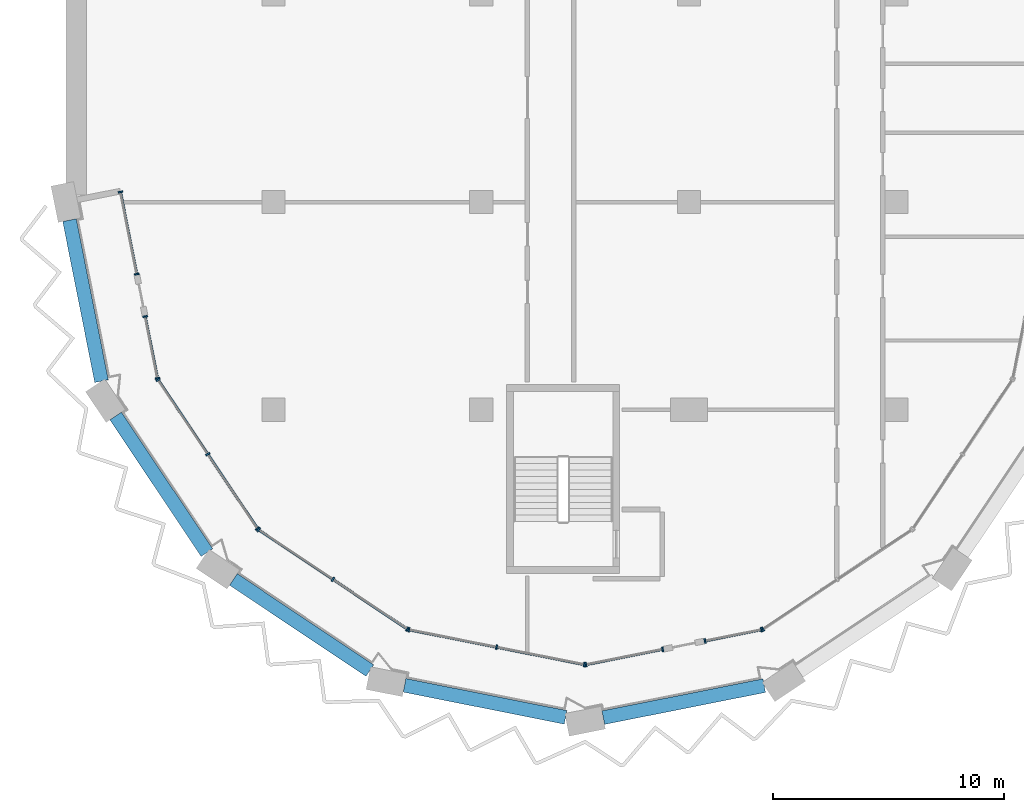
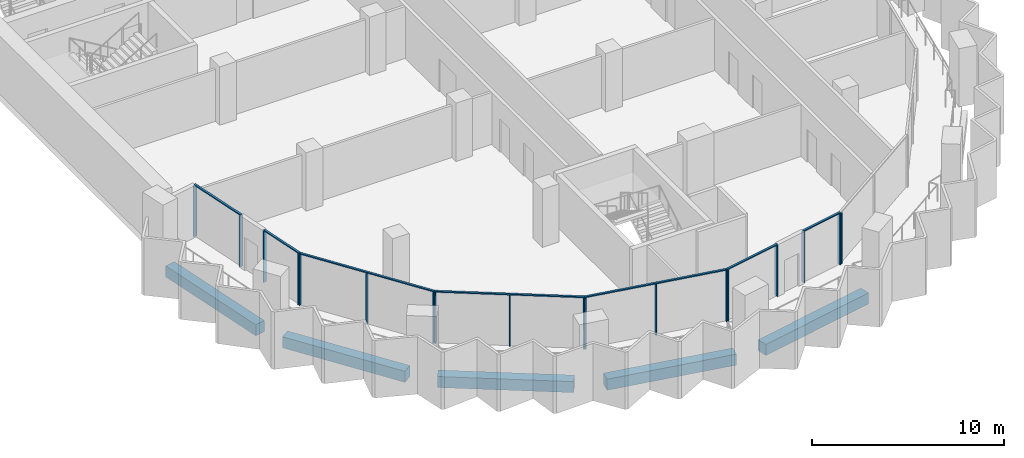
# One storey, part 2 of 16: 25 members, 5 beams, 8 elements without a shape of their own.
"""IFC4 building model written with IfcOpenShell, lengths in metres."""

import ifcopenshell
import ifcopenshell.guid

model = None  # the IFC model being written
_history = None  # IfcOwnerHistory: only IFC2X3 demands one
_inside = {}  # id of a spatial element -> (the spatial element, [elements in it])
_under = {}  # id of a project, library or spatial element -> (it, [spatial elements below it])
_declared = {}  # id of a project -> (the project, [libraries it declares])
_typed = {}  # id of a type object -> (the type object, [elements of that type])
_made_of = {}  # id of a material, layer set ... -> (it, [elements and type objects made of it])


def new_model(schema):
    """Start an empty IFC model of exactly this schema.

    Asked for "IFC4X3", IfcOpenShell would pick the latest addendum, in which some entities
    have other attributes; the version numbers below select the first issue.
    IFC2X3 requires an IfcOwnerHistory on every rooted entity: one is made here for all.
    """
    global model, _history
    if schema == "IFC4X3":
        model = ifcopenshell.file(schema_version=(4, 3, 0, 0))
    else:
        model = ifcopenshell.file(schema=schema)
    _inside.clear()
    _under.clear()
    _declared.clear()
    _typed.clear()
    _made_of.clear()
    _history = None
    if model.schema == "IFC2X3":
        org = make("IfcOrganization", Name="unknown")
        user = make(
            "IfcPersonAndOrganization",
            ThePerson=make("IfcPerson", FamilyName="unknown"),
            TheOrganization=org,
        )
        app = make(
            "IfcApplication",
            ApplicationDeveloper=org,
            Version="unknown",
            ApplicationFullName="unknown",
            ApplicationIdentifier="unknown",
        )
        _history = make(
            "IfcOwnerHistory",
            OwningUser=user,
            OwningApplication=app,
            ChangeAction="ADDED",
            CreationDate=0,
        )
    return model


def make(cls, **values):
    """One entity of the class cls with the attributes given. An attribute that is None is left unset."""
    return model.create_entity(
        cls, **{name: value for name, value in values.items() if value is not None}
    )


def rooted(cls, **values):
    """An entity with a GlobalId (a new one), such as an element, a storey or a relation."""
    return make(cls, GlobalId=ifcopenshell.guid.new(), OwnerHistory=_history, **values)


def si_unit(unit_type, name, prefix=None):
    """IfcSIUnit, for example si_unit("LENGTHUNIT", "METRE", prefix="MILLI")."""
    return make("IfcSIUnit", UnitType=unit_type, Prefix=prefix, Name=name)


def assignment(units):
    """IfcUnitAssignment: the units of a project."""
    return None if units is None else make("IfcUnitAssignment", Units=units)


def point(xyz):
    """IfcCartesianPoint."""
    return None if xyz is None else make("IfcCartesianPoint", Coordinates=xyz)


def direction(xyz):
    """IfcDirection."""
    return None if xyz is None else make("IfcDirection", DirectionRatios=xyz)


def frame(location, z_axis=None, x_axis=None):
    """IfcAxis2Placement3D, a coordinate frame: its origin and axes. An axis left out is left unset."""
    return make(
        "IfcAxis2Placement3D",
        Location=point(location),
        Axis=direction(z_axis),
        RefDirection=direction(x_axis),
    )


def frame_2d(location, x_axis=None):
    """IfcAxis2Placement2D, a coordinate frame in the plane: its origin and x axis."""
    return make(
        "IfcAxis2Placement2D", Location=point(location), RefDirection=direction(x_axis)
    )


def origin():
    """The frame at (0, 0, 0) with its axes left unset."""
    return frame((0.0, 0.0, 0.0))


def origin_2d():
    """The frame at (0, 0) in the plane with its x axis left unset."""
    return frame_2d((0.0, 0.0))


def place(relative_to, where):
    """IfcLocalPlacement: puts the frame where relative to a parent placement (None: the world)."""
    return make(
        "IfcLocalPlacement", PlacementRelTo=relative_to, RelativePlacement=where
    )


def context(
    kind, dimensions, precision=None, world=None, true_north=None, identifier=None
):
    """IfcGeometricRepresentationContext, for example the 3D "Model" context."""
    return make(
        "IfcGeometricRepresentationContext",
        ContextIdentifier=identifier,
        ContextType=kind,
        CoordinateSpaceDimension=dimensions,
        Precision=precision,
        WorldCoordinateSystem=world,
        TrueNorth=true_north,
    )


def subcontext(parent, identifier, kind, view, scale=None):
    """IfcGeometricRepresentationSubContext, for example "Body" below "Model"."""
    return make(
        "IfcGeometricRepresentationSubContext",
        ContextIdentifier=identifier,
        ContextType=kind,
        ParentContext=parent,
        TargetScale=scale,
        TargetView=view,
    )


def project(units=None, contexts=None):
    """IfcProject with its units and contexts."""
    return rooted(
        "IfcProject",
        Name="project",
        RepresentationContexts=contexts,
        UnitsInContext=assignment(units),
    )


def spatial(cls, under=None, at=None, **own):
    """A site, building, storey or space (cls), placed at a placement, below another one or the project."""
    s = rooted(cls, ObjectPlacement=at, **own)
    if under is not None:
        _under.setdefault(under.id(), (under, []))[1].append(s)
    return s


def profile(cls, at=None, kind="AREA", **sizes):
    """A parametric profile (cls). Its sizes go by their IFC names, for example OverallWidth=200.0."""
    return make(cls, ProfileType=kind, Position=at, **sizes)


def rectangle(**sizes):
    """IfcRectangleProfileDef."""
    return profile("IfcRectangleProfileDef", **sizes)


def extrude(swept, where, along, depth):
    """IfcExtrudedAreaSolid: the profile swept, set in the frame where, extruded along a direction by depth."""
    return make(
        "IfcExtrudedAreaSolid",
        SweptArea=swept,
        Position=where,
        ExtrudedDirection=direction(along),
        Depth=depth,
    )


def shape(context_of_items, identifier, shape_type, items):
    """IfcShapeRepresentation: the items that make up one representation, for example the "Body"."""
    return make(
        "IfcShapeRepresentation",
        ContextOfItems=context_of_items,
        RepresentationIdentifier=identifier,
        RepresentationType=shape_type,
        Items=items,
    )


def material(Name=None, Category=None):
    """IfcMaterial."""
    return make("IfcMaterial", Name=Name, Category=Category)


def material_profile(
    of_material, cross_section, Name=None, Category=None, Priority=None
):
    """IfcMaterialProfile: a cross section and its material."""
    return make(
        "IfcMaterialProfile",
        Name=Name,
        Material=of_material,
        Profile=cross_section,
        Priority=Priority,
        Category=Category,
    )


def profile_set(profiles, Name=None, composite=None):
    """IfcMaterialProfileSet."""
    return make(
        "IfcMaterialProfileSet",
        Name=Name,
        MaterialProfiles=profiles,
        CompositeProfile=composite,
    )


def made_of(thing, what):
    """Note that an element or type object is made of a material, layer set ...; save() writes the relation."""
    if what is not None:
        _made_of.setdefault(what.id(), (what, []))[1].append(thing)
    return thing


def type_object(cls, material=None, **own):
    """A type object (cls), such as IfcWallType, which elements share."""
    return made_of(rooted(cls, **own), material)


def element(
    cls,
    number,
    at=None,
    inside=None,
    cuts=None,
    type_object=None,
    material=None,
    context=None,
    identifier="Body",
    shape_type=None,
    held_by="IfcProductDefinitionShape",
    body=None,
    shapes=None,
    **own,
):
    """One element of the class cls, such as IfcWall. Its Tag is "e" and its number.

    at: its placement. inside: the storey or other place that contains it. cuts: it is an
    opening in that element (IfcRelVoidsElement). A single representation is given by context,
    identifier, shape_type and body (its items); several are given by shapes. held_by: the class
    of the entity that holds the representations. save() writes the other relations.
    """
    e = rooted(cls, Tag="e%d" % number, ObjectPlacement=at, **own)
    if body is not None:
        shapes = [shape(context, identifier, shape_type, body)]
    if shapes is not None:
        e.Representation = make(held_by, Representations=shapes)
    if inside is not None:
        _inside.setdefault(inside.id(), (inside, []))[1].append(e)
    if cuts is not None:
        rooted(
            "IfcRelVoidsElement", RelatingBuildingElement=cuts, RelatedOpeningElement=e
        )
    if type_object is not None:
        _typed.setdefault(type_object.id(), (type_object, []))[1].append(e)
    return made_of(e, material)


def aggregate(whole, parts):
    """IfcRelAggregates: a whole, such as a stair, and the parts it consists of."""
    return rooted("IfcRelAggregates", RelatingObject=whole, RelatedObjects=parts)


def save(model, path):
    """Write the relations noted so far, then the file.

    IfcRelAggregates (storeys below a building ...), IfcRelContainedInSpatialStructure (elements
    in a storey), IfcRelDefinesByType, IfcRelAssociatesMaterial and IfcRelDeclares: one each for
    every whole, place, type object, material and project.
    """
    for whole, parts in _under.values():
        aggregate(whole, parts)
    for where, things in _inside.values():
        rooted(
            "IfcRelContainedInSpatialStructure",
            RelatedElements=things,
            RelatingStructure=where,
        )
    for kind, things in _typed.values():
        rooted("IfcRelDefinesByType", RelatedObjects=things, RelatingType=kind)
    for what, things in _made_of.values():
        rooted("IfcRelAssociatesMaterial", RelatedObjects=things, RelatingMaterial=what)
    for by, libraries in _declared.values():
        rooted("IfcRelDeclares", RelatingContext=by, RelatedDefinitions=libraries)
    model.write(path)


model = new_model("IFC4")

# Units and contexts
model_context = context("Model", 3, precision=1e-05, world=origin(), true_north=direction((0.0, 1.0)))
body_context = subcontext(model_context, "Body", "Model", "MODEL_VIEW")
ifc_project = project(units=[si_unit("LENGTHUNIT", "METRE"), si_unit("AREAUNIT", "SQUARE_METRE"), si_unit("VOLUMEUNIT", "CUBIC_METRE"), si_unit("PLANEANGLEUNIT", "RADIAN"), si_unit("MASSUNIT", "GRAM", prefix="KILO")], contexts=[model_context])

# Site, building, storey
site_placement = place(None, origin())
site = spatial("IfcSite", under=ifc_project, at=site_placement, CompositionType="ELEMENT")
building_placement = place(site_placement, origin())
building = spatial("IfcBuilding", under=site, at=building_placement, Name="Hunhe Ridgeline Campus", CompositionType="ELEMENT")
storey_placement = place(building_placement, frame((0.0, 0.0, 257.699951171875)))
storey = spatial("IfcBuildingStorey", under=building, at=storey_placement, Name="L66", CompositionType="ELEMENT", Elevation=257.699951171875)

# Curtain wall, members
ifc_material_1 = material(Name="Aluminium 6063", Category="aluminium")
curtain_wall_type = type_object("IfcCurtainWallType", Name="Curtain wall CW-5", PredefinedType="NOTDEFINED", material=ifc_material_1)
curtain_wall_1_placement = place(storey_placement, origin())
curtain_wall_1 = element("IfcCurtainWall", 1, at=curtain_wall_1_placement, inside=storey, type_object=curtain_wall_type, Name="Curtain wall 01", PredefinedType="NOTDEFINED")
ifc_material_profile_1 = material_profile(ifc_material_1, rectangle(XDim=0.199951171875, YDim=0.070068359375, at=origin_2d()))
ifc_profile_set_1 = profile_set([ifc_material_profile_1], Name="Aluminium 6063")
member_type_1 = type_object("IfcMemberType", Name="CW-5 aluminium mullion", PredefinedType="MULLION", material=ifc_profile_set_1)
member_1_placement = place(storey_placement, frame((2.361572265625, 45.434326171875, 0.0), z_axis=(0.0, 0.0, 1.0), x_axis=(0.980784284924, 0.195095326561, 0.0)))
member_1 = element("IfcMember", 2, at=member_1_placement, type_object=member_type_1, Name="CW-5 mullion 1", PredefinedType="MULLION", context=body_context, shape_type="SweptSolid", body=[
    extrude(rectangle(XDim=0.199951171875, YDim=0.070068359375, at=origin_2d()), origin(), (0.0, 0.0, 1.0), 3.22998046875),
])
member_2_placement = place(storey_placement, frame((3.070068359375, 41.873291015625, 0.0), z_axis=(0.0, 0.0, 1.0), x_axis=(0.980784284924, 0.195095326561, 0.0)))
member_2 = element("IfcMember", 3, at=member_2_placement, type_object=member_type_1, Name="CW-5 mullion 2", PredefinedType="MULLION", context=body_context, shape_type="SweptSolid", body=[
    extrude(rectangle(XDim=0.199951171875, YDim=0.070068359375, at=origin_2d()), origin(), (0.0, 0.0, 1.0), 3.22998046875),
])

curtain_wall_2_placement = place(storey_placement, origin())
curtain_wall_2 = element("IfcCurtainWall", 4, at=curtain_wall_2_placement, inside=storey, type_object=curtain_wall_type, Name="Curtain wall 02", PredefinedType="NOTDEFINED")
member_3_placement = place(storey_placement, frame((3.434814453125, 40.0390625, 0.0), z_axis=(0.0, 0.0, 1.0), x_axis=(0.980784297053, 0.195095265587, 0.0)))
member_3 = element("IfcMember", 5, at=member_3_placement, type_object=member_type_1, Name="CW-5 mullion 1", PredefinedType="MULLION", context=body_context, shape_type="SweptSolid", body=[
    extrude(rectangle(XDim=0.199951171875, YDim=0.070068359375, at=origin_2d()), origin(), (0.0, 0.0, 1.0), 3.22998046875),
])
member_4_placement = place(storey_placement, frame((3.967529296875, 37.36083984375, 0.0), z_axis=(0.0, 0.0, 1.0), x_axis=(0.980784297053, 0.195095265587, 0.0)))
member_4 = element("IfcMember", 6, at=member_4_placement, type_object=member_type_1, Name="CW-5 mullion 2", PredefinedType="MULLION", context=body_context, shape_type="SweptSolid", body=[
    extrude(rectangle(XDim=0.199951171875, YDim=0.070068359375, at=origin_2d()), origin(), (0.0, 0.0, 1.0), 3.22998046875),
])

curtain_wall_3_placement = place(storey_placement, origin())
curtain_wall_3 = element("IfcCurtainWall", 7, at=curtain_wall_3_placement, inside=storey, type_object=curtain_wall_type, Name="Curtain wall 03", PredefinedType="NOTDEFINED")
member_5_placement = place(storey_placement, frame((3.993896484375, 37.29736328125, 0.0), z_axis=(0.0, 0.0, 1.0), x_axis=(0.831469584522, 0.555570274596, 0.0)))
member_5 = element("IfcMember", 8, at=member_5_placement, type_object=member_type_1, Name="CW-5 mullion 1", PredefinedType="MULLION", context=body_context, shape_type="SweptSolid", body=[
    extrude(rectangle(XDim=0.199951171875, YDim=0.070068359375, at=origin_2d()), origin(), (0.0, 0.0, 1.0), 3.22998046875),
])
member_6_placement = place(storey_placement, frame((6.147705078125, 34.07373046875, 0.0), z_axis=(0.0, 0.0, 1.0), x_axis=(0.831469584522, 0.555570274596, 0.0)))
member_6 = element("IfcMember", 9, at=member_6_placement, type_object=member_type_1, Name="CW-5 mullion 2", PredefinedType="MULLION", context=body_context, shape_type="SweptSolid", body=[
    extrude(rectangle(XDim=0.199951171875, YDim=0.070068359375, at=origin_2d()), origin(), (0.0, 0.0, 1.0), 3.22998046875),
])
member_7_placement = place(storey_placement, frame((8.3017578125, 30.850341796875, 0.0), z_axis=(0.0, 0.0, 1.0), x_axis=(0.831469584522, 0.555570274596, 0.0)))
member_7 = element("IfcMember", 10, at=member_7_placement, type_object=member_type_1, Name="CW-5 mullion 3", PredefinedType="MULLION", context=body_context, shape_type="SweptSolid", body=[
    extrude(rectangle(XDim=0.199951171875, YDim=0.070068359375, at=origin_2d()), origin(), (0.0, 0.0, 1.0), 3.22998046875),
])

curtain_wall_4_placement = place(storey_placement, origin())
curtain_wall_4 = element("IfcCurtainWall", 11, at=curtain_wall_4_placement, inside=storey, type_object=curtain_wall_type, Name="Curtain wall 04", PredefinedType="NOTDEFINED")
member_8_placement = place(storey_placement, frame((8.350341796875, 30.8017578125, 0.0), z_axis=(0.0, 0.0, 1.0), x_axis=(0.555570274596, 0.831469584522, 0.0)))
member_8 = element("IfcMember", 12, at=member_8_placement, type_object=member_type_1, Name="CW-5 mullion 1", PredefinedType="MULLION", context=body_context, shape_type="SweptSolid", body=[
    extrude(rectangle(XDim=0.199951171875, YDim=0.070068359375, at=origin_2d()), origin(), (0.0, 0.0, 1.0), 3.22998046875),
])
member_9_placement = place(storey_placement, frame((11.57373046875, 28.647705078125, 0.0), z_axis=(0.0, 0.0, 1.0), x_axis=(0.555570274596, 0.831469584522, 0.0)))
member_9 = element("IfcMember", 13, at=member_9_placement, type_object=member_type_1, Name="CW-5 mullion 2", PredefinedType="MULLION", context=body_context, shape_type="SweptSolid", body=[
    extrude(rectangle(XDim=0.199951171875, YDim=0.070068359375, at=origin_2d()), origin(), (0.0, 0.0, 1.0), 3.22998046875),
])
member_10_placement = place(storey_placement, frame((14.79736328125, 26.493896484375, 0.0), z_axis=(0.0, 0.0, 1.0), x_axis=(0.555570274596, 0.831469584522, 0.0)))
member_10 = element("IfcMember", 14, at=member_10_placement, type_object=member_type_1, Name="CW-5 mullion 3", PredefinedType="MULLION", context=body_context, shape_type="SweptSolid", body=[
    extrude(rectangle(XDim=0.199951171875, YDim=0.070068359375, at=origin_2d()), origin(), (0.0, 0.0, 1.0), 3.22998046875),
])

curtain_wall_5_placement = place(storey_placement, origin())
curtain_wall_5 = element("IfcCurtainWall", 15, at=curtain_wall_5_placement, inside=storey, type_object=curtain_wall_type, Name="Curtain wall 05", PredefinedType="NOTDEFINED")
member_11_placement = place(storey_placement, frame((14.86083984375, 26.467529296875, 0.0), z_axis=(0.0, 0.0, 1.0), x_axis=(0.195090347539, 0.980785275326, 0.0)))
member_11 = element("IfcMember", 16, at=member_11_placement, type_object=member_type_1, Name="CW-5 mullion 1", PredefinedType="MULLION", context=body_context, shape_type="SweptSolid", body=[
    extrude(rectangle(XDim=0.199951171875, YDim=0.070068359375, at=origin_2d()), origin(), (0.0, 0.0, 1.0), 3.22998046875),
])
member_12_placement = place(storey_placement, frame((18.663330078125, 25.711181640625, 0.0), z_axis=(0.0, 0.0, 1.0), x_axis=(0.195090347539, 0.980785275326, 0.0)))
member_12 = element("IfcMember", 17, at=member_12_placement, type_object=member_type_1, Name="CW-5 mullion 2", PredefinedType="MULLION", context=body_context, shape_type="SweptSolid", body=[
    extrude(rectangle(XDim=0.199951171875, YDim=0.070068359375, at=origin_2d()), origin(), (0.0, 0.0, 1.0), 3.22998046875),
])
member_13_placement = place(storey_placement, frame((22.465576171875, 24.954833984375, 0.0), z_axis=(0.0, 0.0, 1.0), x_axis=(0.195090347539, 0.980785275326, 0.0)))
member_13 = element("IfcMember", 18, at=member_13_placement, type_object=member_type_1, Name="CW-5 mullion 3", PredefinedType="MULLION", context=body_context, shape_type="SweptSolid", body=[
    extrude(rectangle(XDim=0.199951171875, YDim=0.070068359375, at=origin_2d()), origin(), (0.0, 0.0, 1.0), 3.22998046875),
])

curtain_wall_6_placement = place(storey_placement, origin())
curtain_wall_6 = element("IfcCurtainWall", 19, at=curtain_wall_6_placement, inside=storey, type_object=curtain_wall_type, Name="Curtain wall 06", PredefinedType="NOTDEFINED")
member_14_placement = place(storey_placement, frame((22.534423828125, 24.954833984375, 0.0), z_axis=(0.0, 0.0, 1.0), x_axis=(-0.19509037034, 0.980785270791, 0.0)))
member_14 = element("IfcMember", 20, at=member_14_placement, type_object=member_type_1, Name="CW-5 mullion 1", PredefinedType="MULLION", context=body_context, shape_type="SweptSolid", body=[
    extrude(rectangle(XDim=0.199951171875, YDim=0.070068359375, at=origin_2d()), origin(), (0.0, 0.0, 1.0), 3.22998046875),
])
member_15_placement = place(storey_placement, frame((25.861083984375, 25.61669921875, 0.0), z_axis=(0.0, 0.0, 1.0), x_axis=(-0.19509037034, 0.980785270791, 0.0)))
member_15 = element("IfcMember", 21, at=member_15_placement, type_object=member_type_1, Name="CW-5 mullion 2", PredefinedType="MULLION", context=body_context, shape_type="SweptSolid", body=[
    extrude(rectangle(XDim=0.199951171875, YDim=0.070068359375, at=origin_2d()), origin(), (0.0, 0.0, 1.0), 3.22998046875),
])

curtain_wall_7_placement = place(storey_placement, origin())
curtain_wall_7 = element("IfcCurtainWall", 22, at=curtain_wall_7_placement, inside=storey, type_object=curtain_wall_type, Name="Curtain wall 07", PredefinedType="NOTDEFINED")
member_16_placement = place(storey_placement, frame((27.695068359375, 25.9814453125, 0.0), z_axis=(0.0, 0.0, 1.0), x_axis=(-0.195090514627, 0.980785242091, 0.0)))
member_16 = element("IfcMember", 23, at=member_16_placement, type_object=member_type_1, Name="CW-5 mullion 1", PredefinedType="MULLION", context=body_context, shape_type="SweptSolid", body=[
    extrude(rectangle(XDim=0.199951171875, YDim=0.070068359375, at=origin_2d()), origin(), (0.0, 0.0, 1.0), 3.22998046875),
])
member_17_placement = place(storey_placement, frame((30.13916015625, 26.467529296875, 0.0), z_axis=(0.0, 0.0, 1.0), x_axis=(-0.195090514627, 0.980785242091, 0.0)))
member_17 = element("IfcMember", 24, at=member_17_placement, type_object=member_type_1, Name="CW-5 mullion 2", PredefinedType="MULLION", context=body_context, shape_type="SweptSolid", body=[
    extrude(rectangle(XDim=0.199951171875, YDim=0.070068359375, at=origin_2d()), origin(), (0.0, 0.0, 1.0), 3.22998046875),
])

# Curtain wall, member
curtain_wall_8_placement = place(storey_placement, origin())
curtain_wall_8 = element("IfcCurtainWall", 25, at=curtain_wall_8_placement, inside=storey, type_object=curtain_wall_type, Name="Curtain wall 08", PredefinedType="NOTDEFINED")
member_18_placement = place(storey_placement, frame((30.20263671875, 26.493896484375, 0.0), z_axis=(0.0, 0.0, 1.0), x_axis=(-0.555570274596, 0.831469584522, 0.0)))
member_18 = element("IfcMember", 26, at=member_18_placement, type_object=member_type_1, Name="CW-5 mullion 1", PredefinedType="MULLION", context=body_context, shape_type="SweptSolid", body=[
    extrude(rectangle(XDim=0.199951171875, YDim=0.070068359375, at=origin_2d()), origin(), (0.0, 0.0, 1.0), 3.22998046875),
])
aggregate(curtain_wall_8, [member_18])

# Member
ifc_material_profile_2 = material_profile(ifc_material_1, rectangle(XDim=0.1201171875, YDim=0.070068359375, at=origin_2d()))
ifc_profile_set_2 = profile_set([ifc_material_profile_2], Name="Aluminium 6063")
member_type_2 = type_object("IfcMemberType", Name="CW-5 aluminium transom", PredefinedType="USERDEFINED", material=ifc_profile_set_2)
member_19_placement = place(storey_placement, frame((2.354736328125, 45.46875, 3.26513671875), z_axis=(0.195126549745, -0.980778073564, 0.0), x_axis=(0.980778073564, 0.195126549745, 0.0)))
member_19 = element("IfcMember", 27, at=member_19_placement, type_object=member_type_2, Name="CW-5 transom 1", ObjectType="TRANSOM", PredefinedType="USERDEFINED", context=body_context, shape_type="SweptSolid", body=[
    extrude(rectangle(XDim=0.1201171875, YDim=0.070068359375, at=origin_2d()), origin(), (0.0, 0.0, 1.0), 3.700927734375),
])

aggregate(curtain_wall_1, [member_19, member_1, member_2])

member_20_placement = place(storey_placement, frame((3.427978515625, 40.073486328125, 3.26513671875), z_axis=(0.195076742145, -0.98078798151, 0.0), x_axis=(0.98078798151, 0.195076742145, 0.0)))
member_20 = element("IfcMember", 28, at=member_20_placement, type_object=member_type_2, Name="CW-5 transom 1", ObjectType="TRANSOM", PredefinedType="USERDEFINED", context=body_context, shape_type="SweptSolid", body=[
    extrude(rectangle(XDim=0.1201171875, YDim=0.070068359375, at=origin_2d()), origin(), (0.0, 0.0, 1.0), 2.80078125),
])

aggregate(curtain_wall_2, [member_20, member_3, member_4])

member_21_placement = place(storey_placement, frame((3.974365234375, 37.326416015625, 3.26513671875), z_axis=(0.5555640203, -0.831473763475, 0.0), x_axis=(0.831473763475, 0.5555640203, 0.0)))
member_21 = element("IfcMember", 29, at=member_21_placement, type_object=member_type_2, Name="CW-5 transom 1", ObjectType="TRANSOM", PredefinedType="USERDEFINED", context=body_context, shape_type="SweptSolid", body=[
    extrude(rectangle(XDim=0.1201171875, YDim=0.070068359375, at=origin_2d()), origin(), (0.0, 0.0, 1.0), 7.823974609375),
])

aggregate(curtain_wall_3, [member_21, member_5, member_6, member_7])

member_22_placement = place(storey_placement, frame((8.321044921875, 30.821044921875, 3.26513671875), z_axis=(0.831473763475, -0.5555640203, 0.0), x_axis=(0.5555640203, 0.831473763475, 0.0)))
member_22 = element("IfcMember", 30, at=member_22_placement, type_object=member_type_2, Name="CW-5 transom 1", ObjectType="TRANSOM", PredefinedType="USERDEFINED", context=body_context, shape_type="SweptSolid", body=[
    extrude(rectangle(XDim=0.1201171875, YDim=0.070068359375, at=origin_2d()), origin(), (0.0, 0.0, 1.0), 7.823974609375),
])

aggregate(curtain_wall_4, [member_22, member_8, member_9, member_10])

member_23_placement = place(storey_placement, frame((14.826416015625, 26.474365234375, 3.26513671875), z_axis=(0.980785367689, -0.195089883198, 0.0), x_axis=(0.195089883198, 0.980785367689, 0.0)))
member_23 = element("IfcMember", 31, at=member_23_placement, type_object=member_type_2, Name="CW-5 transom 1", ObjectType="TRANSOM", PredefinedType="USERDEFINED", context=body_context, shape_type="SweptSolid", body=[
    extrude(rectangle(XDim=0.1201171875, YDim=0.070068359375, at=origin_2d()), origin(), (0.0, 0.0, 1.0), 7.823974609375),
])

aggregate(curtain_wall_5, [member_23, member_11, member_12, member_13])

member_24_placement = place(storey_placement, frame((22.5, 24.947998046875, 3.26513671875), z_axis=(0.980778171596, 0.195126057004, 0.0), x_axis=(-0.195126057004, 0.980778171596, 0.0)))
member_24 = element("IfcMember", 32, at=member_24_placement, type_object=member_type_2, Name="CW-5 transom 1", ObjectType="TRANSOM", PredefinedType="USERDEFINED", context=body_context, shape_type="SweptSolid", body=[
    extrude(rectangle(XDim=0.1201171875, YDim=0.070068359375, at=origin_2d()), origin(), (0.0, 0.0, 1.0), 3.462158203125),
])

aggregate(curtain_wall_6, [member_24, member_14, member_15])

member_25_placement = place(storey_placement, frame((27.660888671875, 25.974609375, 3.26513671875), z_axis=(0.980789038007, 0.195071430315, 0.0), x_axis=(-0.195071430315, 0.980789038007, 0.0)))
member_25 = element("IfcMember", 33, at=member_25_placement, type_object=member_type_2, Name="CW-5 transom 1", ObjectType="TRANSOM", PredefinedType="USERDEFINED", context=body_context, shape_type="SweptSolid", body=[
    extrude(rectangle(XDim=0.1201171875, YDim=0.070068359375, at=origin_2d()), origin(), (0.0, 0.0, 1.0), 2.56201171875),
])

aggregate(curtain_wall_7, [member_25, member_16, member_17])

# Beams
ifc_material_2 = material(Name="Concrete C50", Category="concrete")
ifc_material_profile_3 = material_profile(ifc_material_2, rectangle(XDim=0.60009765625, YDim=0.699951171875, at=origin_2d()))
ifc_profile_set_3 = profile_set([ifc_material_profile_3], Name="Concrete C50")
beam_type = type_object("IfcBeamType", Name="RC spandrel beam 600x700 Concrete C50", PredefinedType="SPANDREL", material=ifc_profile_set_3)
for number, where, z_axis, x_axis, name in (
    (34, (0.156005859375, 44.21533203125, -0.599853515625), (0.195092933717, -0.9807847609, 0.0), (0.9807847609, 0.195092933717, 0.0), "Spandrel beam B4-1 L66"),
    (35, (2.1572265625, 35.724365234375, -0.599853515625), (0.55557907181, -0.831463706344, 0.0), (0.831463706344, 0.55557907181, 0.0), "Spandrel beam B4-2 L66"),
    (36, (7.25537109375, 28.645751953125, -0.599853515625), (0.831463706344, -0.55557907181, 0.0), (0.55557907181, 0.831463706344, 0.0), "Spandrel beam B4-3 L66"),
    (37, (14.67431640625, 24.056640625, -0.599853515625), (0.9807847609, -0.195092933717, 0.0), (0.195092933717, 0.9807847609, 0.0), "Spandrel beam B4-4 L66"),
    (38, (23.28466796875, 22.656005859375, -0.599853515625), (0.9807847609, 0.195092933717, 0.0), (-0.195092933717, 0.9807847609, 0.0), "Spandrel beam B4-5 L66"),
):
    element("IfcBeam", number, at=place(storey_placement, frame(where, z_axis=z_axis, x_axis=x_axis)), inside=storey, type_object=beam_type, Name=name, PredefinedType="SPANDREL", context=body_context, shape_type="SweptSolid", body=[
        extrude(rectangle(XDim=0.60009765625, YDim=0.699951171875, at=origin_2d()), origin(), (0.0, 0.0, 1.0), 7.113037109375),
    ])

save(model, "model.ifc")
